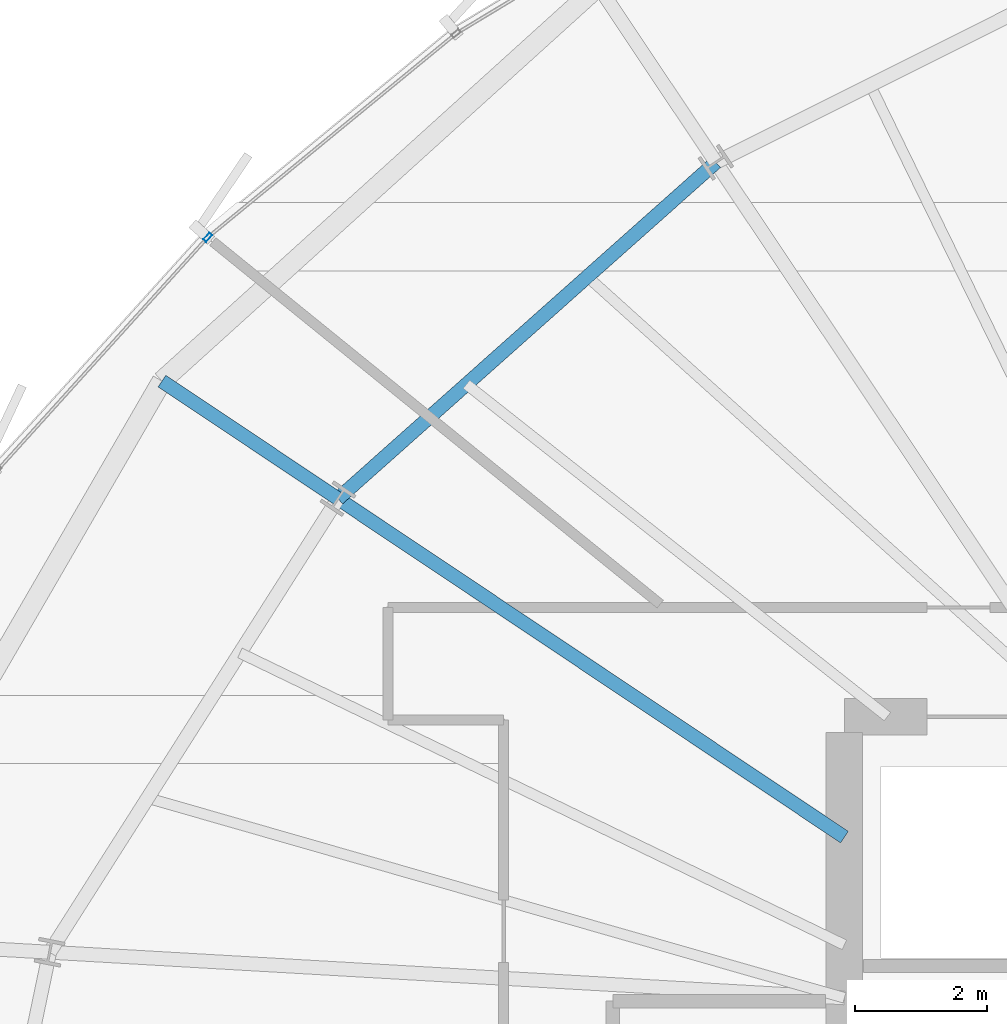
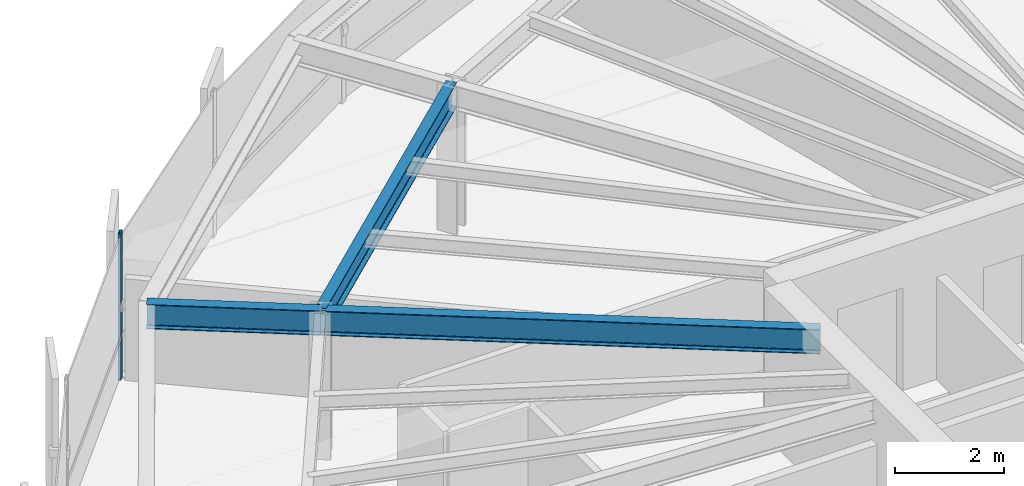
# One storey, part 18 of 36: 3 beams, 1 member, 1 element without a shape of its own.
"""IFC4 building model written with IfcOpenShell, lengths in metres."""

from ifc_helpers import new_model, si_unit, direction, frame, origin, origin_2d, place, context, subcontext, project, spatial, hollow_rectangle, i_section, extrude, source, transform, mapped, material, layer, layer_set, material_profile, profile_set, type_object, element, aggregate, save


model = new_model("IFC4")

# Units and contexts
model_context = context("Model", 3, precision=1e-05, world=origin(), true_north=direction((0.0, 1.0)))
body_context = subcontext(model_context, "Body", "Model", "MODEL_VIEW")
ifc_project = project(units=[si_unit("LENGTHUNIT", "METRE"), si_unit("AREAUNIT", "SQUARE_METRE"), si_unit("VOLUMEUNIT", "CUBIC_METRE"), si_unit("PLANEANGLEUNIT", "RADIAN"), si_unit("MASSUNIT", "GRAM", prefix="KILO"), si_unit("THERMODYNAMICTEMPERATUREUNIT", "KELVIN")], contexts=[model_context])

# Site, building, storey
site_placement = place(None, origin())
site = spatial("IfcSite", under=ifc_project, at=site_placement, CompositionType="ELEMENT")
building_placement = place(site_placement, origin())
building = spatial("IfcBuilding", under=site, at=building_placement, Name="Kethvar Cultural Tower", CompositionType="ELEMENT")
storey_placement = place(building_placement, frame((0.0, 0.0, 143.0)))
storey = spatial("IfcBuildingStorey", under=building, at=storey_placement, Name="L36", CompositionType="ELEMENT", Elevation=143.0)

# Beams
ifc_material_1 = material(Name="Steel S355J2", Category="steel")
ifc_material_profile_1 = material_profile(ifc_material_1, i_section(OverallWidth=0.2099609375, OverallDepth=0.550048828125, WebThickness=0.010986328125, FlangeThickness=0.01708984375, FilletRadius=0.02392578125, at=origin_2d()), Name="Steel S355J2 — IPE550")
ifc_profile_set_1 = profile_set([ifc_material_profile_1], Name="Steel S355J2 — IPE550")
beam_type = type_object("IfcBeamType", Name="BM-IPE550", PredefinedType="BEAM", material=ifc_profile_set_1)
shared_shape_1 = source(origin(), body_context, "Body", "SweptSolid", [
    extrude(i_section(OverallWidth=0.2099609375, OverallDepth=0.550048828125, WebThickness=0.010986328125, FlangeThickness=0.01708984375, FilletRadius=0.02392578125, at=origin_2d()), origin(), (0.0, 0.0, 1.0), 3.199951171875),
])
beam_1_placement = place(storey_placement, frame((30.345947265625, 38.794189453125, 3.02294921875), z_axis=(-0.831462943996, 0.555580212716, 0.0), x_axis=(-0.555580212716, -0.831462943996, 0.0)))
element("IfcBeam", 1, at=beam_1_placement, inside=storey, type_object=beam_type, Name="L36 Perimeter Cantilever Beam RC-07", PredefinedType="BEAM", context=body_context, shape_type="MappedRepresentation", body=[
    mapped(shared_shape_1, transform((0.0, 0.0, 0.0), scale=1.0)),
])
shared_shape_2 = source(origin(), body_context, "Body", "SweptSolid", [
    extrude(i_section(OverallWidth=0.2099609375, OverallDepth=0.550048828125, WebThickness=0.010986328125, FlangeThickness=0.01708984375, FilletRadius=0.02392578125, at=origin_2d()), origin(), (0.0, 0.0, 1.0), 9.205322265625),
])
beam_2_placement = place(storey_placement, frame((38.0, 33.679931640625, 3.02294921875), z_axis=(-0.831470451236, 0.555568977465, 0.0), x_axis=(-0.555568977465, -0.831470451236, 0.0)))
element("IfcBeam", 2, at=beam_2_placement, inside=storey, type_object=beam_type, Name="L36 Primary Radial Beam RB-07", PredefinedType="BEAM", context=body_context, shape_type="MappedRepresentation", body=[
    mapped(shared_shape_2, transform((0.0, 0.0, 0.0), scale=1.0)),
])
shared_shape_3 = source(origin(), body_context, "Body", "SweptSolid", [
    extrude(i_section(OverallWidth=0.2099609375, OverallDepth=0.550048828125, WebThickness=0.010986328125, FlangeThickness=0.01708984375, FilletRadius=0.02392578125, at=origin_2d()), origin(), (0.0, 0.0, 1.0), 7.64599609375),
])
beam_3_placement = place(storey_placement, frame((36.0576171875, 43.877197265625, 3.02294921875), z_axis=(-0.747021617367, -0.66479974668, 0.0), x_axis=(0.66479974668, -0.747021617367, 0.0)))
element("IfcBeam", 3, at=beam_3_placement, inside=storey, type_object=beam_type, Name="L36 Column Ring Tie Beam CR-06", PredefinedType="BEAM", context=body_context, shape_type="MappedRepresentation", body=[
    mapped(shared_shape_3, transform((0.0, 0.0, 0.0), scale=1.0)),
])

# Curtain wall, member
ifc_material_2 = material(Name="Aluminium 6063-T6", Category="aluminium")
ifc_layer = layer(ifc_material_2, 0.179931640625, Name="Aluminium 6063-T6", Category="aluminium")
ifc_layer_set = layer_set([ifc_layer], Name="Aluminium 6063-T6 (180 mm)")
curtain_wall_type = type_object("IfcCurtainWallType", Name="CW-SYS-04-Z34", PredefinedType="NOTDEFINED", material=ifc_layer_set)
curtain_wall_placement = place(storey_placement, origin())
curtain_wall = element("IfcCurtainWall", 4, at=curtain_wall_placement, inside=storey, type_object=curtain_wall_type, Name="L36 Curtain Wall Run 02", PredefinedType="NOTDEFINED")
ifc_material_profile_2 = material_profile(ifc_material_2, hollow_rectangle(XDim=0.06005859375, YDim=0.139892578125, WallThickness=0.0048828125, at=origin_2d()), Name="Aluminium 6063-T6 — RHS140x60x5")
ifc_profile_set_2 = profile_set([ifc_material_profile_2], Name="Aluminium 6063-T6 — RHS140x60x5")
member_type = type_object("IfcMemberType", Name="CW-SYS-04-Z34-MUL", PredefinedType="MULLION", material=ifc_profile_set_2)
shared_shape_4 = source(origin(), body_context, "Body", "SweptSolid", [
    extrude(hollow_rectangle(XDim=0.06005859375, YDim=0.139892578125, WallThickness=0.0048828125, at=origin_2d()), origin(), (0.0, 0.0, 1.0), 3.300048828125),
])
member_placement = place(storey_placement, frame((28.37646484375, 42.7431640625, 0.0), z_axis=(0.0, 0.0, 1.0), x_axis=(0.742198122061, -0.670180533594, 0.0)))
member = element("IfcMember", 5, at=member_placement, type_object=member_type, Name="CW-L36-R02 Mullion 6", PredefinedType="MULLION", context=body_context, shape_type="MappedRepresentation", body=[
    mapped(shared_shape_4, transform((0.0, 0.0, 0.0), scale=1.0)),
])
aggregate(curtain_wall, [member])

save(model, "model.ifc")
